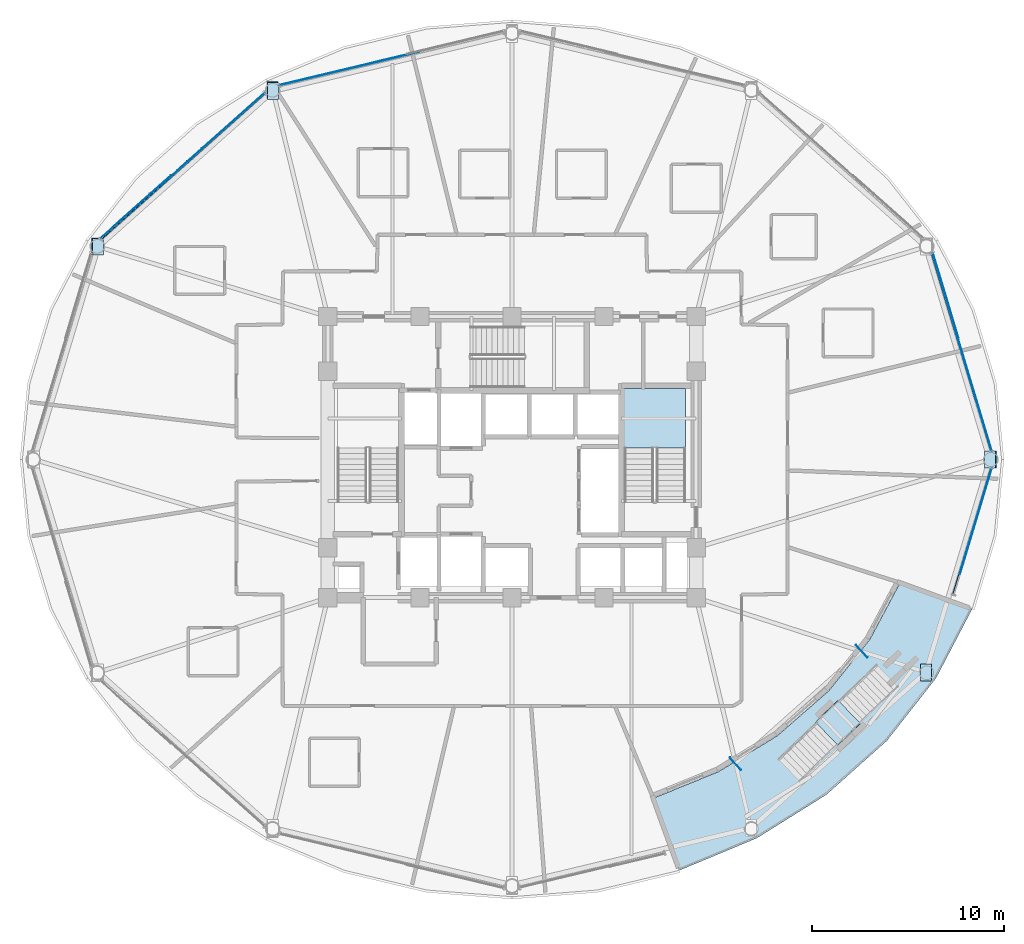
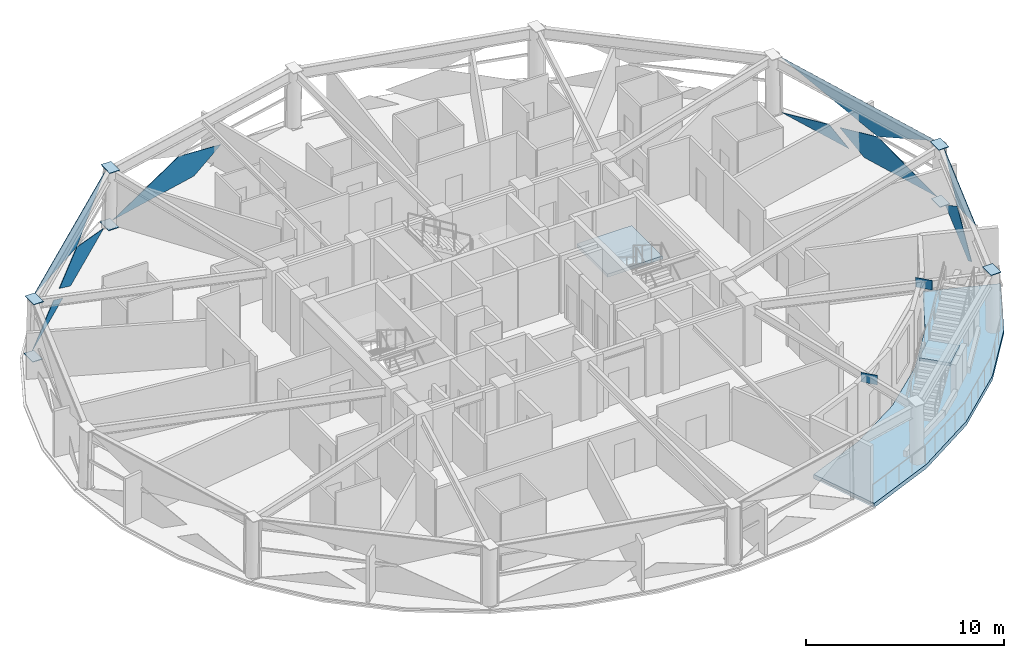
# One storey, part 9 of 18: 18 plates, 3 slabs, 6 elements without a shape of their own.
"""IFC4 building model written with IfcOpenShell, lengths in metres."""

import ifcopenshell
import ifcopenshell.guid

model = None  # the IFC model being written
_history = None  # IfcOwnerHistory: only IFC2X3 demands one
_inside = {}  # id of a spatial element -> (the spatial element, [elements in it])
_under = {}  # id of a project, library or spatial element -> (it, [spatial elements below it])
_declared = {}  # id of a project -> (the project, [libraries it declares])
_typed = {}  # id of a type object -> (the type object, [elements of that type])
_made_of = {}  # id of a material, layer set ... -> (it, [elements and type objects made of it])


def new_model(schema):
    """Start an empty IFC model of exactly this schema.

    Asked for "IFC4X3", IfcOpenShell would pick the latest addendum, in which some entities
    have other attributes; the version numbers below select the first issue.
    IFC2X3 requires an IfcOwnerHistory on every rooted entity: one is made here for all.
    """
    global model, _history
    if schema == "IFC4X3":
        model = ifcopenshell.file(schema_version=(4, 3, 0, 0))
    else:
        model = ifcopenshell.file(schema=schema)
    _inside.clear()
    _under.clear()
    _declared.clear()
    _typed.clear()
    _made_of.clear()
    _history = None
    if model.schema == "IFC2X3":
        org = make("IfcOrganization", Name="unknown")
        user = make(
            "IfcPersonAndOrganization",
            ThePerson=make("IfcPerson", FamilyName="unknown"),
            TheOrganization=org,
        )
        app = make(
            "IfcApplication",
            ApplicationDeveloper=org,
            Version="unknown",
            ApplicationFullName="unknown",
            ApplicationIdentifier="unknown",
        )
        _history = make(
            "IfcOwnerHistory",
            OwningUser=user,
            OwningApplication=app,
            ChangeAction="ADDED",
            CreationDate=0,
        )
    return model


def make(cls, **values):
    """One entity of the class cls with the attributes given. An attribute that is None is left unset."""
    return model.create_entity(
        cls, **{name: value for name, value in values.items() if value is not None}
    )


def rooted(cls, **values):
    """An entity with a GlobalId (a new one), such as an element, a storey or a relation."""
    return make(cls, GlobalId=ifcopenshell.guid.new(), OwnerHistory=_history, **values)


def si_unit(unit_type, name, prefix=None):
    """IfcSIUnit, for example si_unit("LENGTHUNIT", "METRE", prefix="MILLI")."""
    return make("IfcSIUnit", UnitType=unit_type, Prefix=prefix, Name=name)


def assignment(units):
    """IfcUnitAssignment: the units of a project."""
    return None if units is None else make("IfcUnitAssignment", Units=units)


def point(xyz):
    """IfcCartesianPoint."""
    return None if xyz is None else make("IfcCartesianPoint", Coordinates=xyz)


def direction(xyz):
    """IfcDirection."""
    return None if xyz is None else make("IfcDirection", DirectionRatios=xyz)


def frame(location, z_axis=None, x_axis=None):
    """IfcAxis2Placement3D, a coordinate frame: its origin and axes. An axis left out is left unset."""
    return make(
        "IfcAxis2Placement3D",
        Location=point(location),
        Axis=direction(z_axis),
        RefDirection=direction(x_axis),
    )


def frame_2d(location, x_axis=None):
    """IfcAxis2Placement2D, a coordinate frame in the plane: its origin and x axis."""
    return make(
        "IfcAxis2Placement2D", Location=point(location), RefDirection=direction(x_axis)
    )


def origin():
    """The frame at (0, 0, 0) with its axes left unset."""
    return frame((0.0, 0.0, 0.0))


def origin_2d():
    """The frame at (0, 0) in the plane with its x axis left unset."""
    return frame_2d((0.0, 0.0))


def place(relative_to, where):
    """IfcLocalPlacement: puts the frame where relative to a parent placement (None: the world)."""
    return make(
        "IfcLocalPlacement", PlacementRelTo=relative_to, RelativePlacement=where
    )


def context(
    kind, dimensions, precision=None, world=None, true_north=None, identifier=None
):
    """IfcGeometricRepresentationContext, for example the 3D "Model" context."""
    return make(
        "IfcGeometricRepresentationContext",
        ContextIdentifier=identifier,
        ContextType=kind,
        CoordinateSpaceDimension=dimensions,
        Precision=precision,
        WorldCoordinateSystem=world,
        TrueNorth=true_north,
    )


def subcontext(parent, identifier, kind, view, scale=None):
    """IfcGeometricRepresentationSubContext, for example "Body" below "Model"."""
    return make(
        "IfcGeometricRepresentationSubContext",
        ContextIdentifier=identifier,
        ContextType=kind,
        ParentContext=parent,
        TargetScale=scale,
        TargetView=view,
    )


def project(units=None, contexts=None):
    """IfcProject with its units and contexts."""
    return rooted(
        "IfcProject",
        Name="project",
        RepresentationContexts=contexts,
        UnitsInContext=assignment(units),
    )


def spatial(cls, under=None, at=None, **own):
    """A site, building, storey or space (cls), placed at a placement, below another one or the project."""
    s = rooted(cls, ObjectPlacement=at, **own)
    if under is not None:
        _under.setdefault(under.id(), (under, []))[1].append(s)
    return s


def polyline(points):
    """IfcPolyline through the points."""
    return make("IfcPolyline", Points=[point(p) for p in points])


def profile(cls, at=None, kind="AREA", **sizes):
    """A parametric profile (cls). Its sizes go by their IFC names, for example OverallWidth=200.0."""
    return make(cls, ProfileType=kind, Position=at, **sizes)


def rectangle(**sizes):
    """IfcRectangleProfileDef."""
    return profile("IfcRectangleProfileDef", **sizes)


def outline(outer, holes=None, kind="AREA"):
    """IfcArbitraryClosedProfileDef: a profile drawn as a closed curve; with holes, ...WithVoids."""
    if holes is None:
        return make("IfcArbitraryClosedProfileDef", ProfileType=kind, OuterCurve=outer)
    return make(
        "IfcArbitraryProfileDefWithVoids",
        ProfileType=kind,
        OuterCurve=outer,
        InnerCurves=holes,
    )


def extrude(swept, where, along, depth):
    """IfcExtrudedAreaSolid: the profile swept, set in the frame where, extruded along a direction by depth."""
    return make(
        "IfcExtrudedAreaSolid",
        SweptArea=swept,
        Position=where,
        ExtrudedDirection=direction(along),
        Depth=depth,
    )


def shape(context_of_items, identifier, shape_type, items):
    """IfcShapeRepresentation: the items that make up one representation, for example the "Body"."""
    return make(
        "IfcShapeRepresentation",
        ContextOfItems=context_of_items,
        RepresentationIdentifier=identifier,
        RepresentationType=shape_type,
        Items=items,
    )


def material(Name=None, Category=None):
    """IfcMaterial."""
    return make("IfcMaterial", Name=Name, Category=Category)


def layer(
    of_material, thickness, ventilated=None, Name=None, Category=None, Priority=None
):
    """IfcMaterialLayer: one layer of a wall or slab, of a material (None: an air gap)."""
    return make(
        "IfcMaterialLayer",
        Material=of_material,
        LayerThickness=thickness,
        IsVentilated=ventilated,
        Name=Name,
        Category=Category,
        Priority=Priority,
    )


def layer_set(layers, Name=None):
    """IfcMaterialLayerSet."""
    return make("IfcMaterialLayerSet", MaterialLayers=layers, LayerSetName=Name)


def made_of(thing, what):
    """Note that an element or type object is made of a material, layer set ...; save() writes the relation."""
    if what is not None:
        _made_of.setdefault(what.id(), (what, []))[1].append(thing)
    return thing


def type_object(cls, material=None, **own):
    """A type object (cls), such as IfcWallType, which elements share."""
    return made_of(rooted(cls, **own), material)


def element(
    cls,
    number,
    at=None,
    inside=None,
    cuts=None,
    type_object=None,
    material=None,
    context=None,
    identifier="Body",
    shape_type=None,
    held_by="IfcProductDefinitionShape",
    body=None,
    shapes=None,
    **own,
):
    """One element of the class cls, such as IfcWall. Its Tag is "e" and its number.

    at: its placement. inside: the storey or other place that contains it. cuts: it is an
    opening in that element (IfcRelVoidsElement). A single representation is given by context,
    identifier, shape_type and body (its items); several are given by shapes. held_by: the class
    of the entity that holds the representations. save() writes the other relations.
    """
    e = rooted(cls, Tag="e%d" % number, ObjectPlacement=at, **own)
    if body is not None:
        shapes = [shape(context, identifier, shape_type, body)]
    if shapes is not None:
        e.Representation = make(held_by, Representations=shapes)
    if inside is not None:
        _inside.setdefault(inside.id(), (inside, []))[1].append(e)
    if cuts is not None:
        rooted(
            "IfcRelVoidsElement", RelatingBuildingElement=cuts, RelatedOpeningElement=e
        )
    if type_object is not None:
        _typed.setdefault(type_object.id(), (type_object, []))[1].append(e)
    return made_of(e, material)


def aggregate(whole, parts):
    """IfcRelAggregates: a whole, such as a stair, and the parts it consists of."""
    return rooted("IfcRelAggregates", RelatingObject=whole, RelatedObjects=parts)


def save(model, path):
    """Write the relations noted so far, then the file.

    IfcRelAggregates (storeys below a building ...), IfcRelContainedInSpatialStructure (elements
    in a storey), IfcRelDefinesByType, IfcRelAssociatesMaterial and IfcRelDeclares: one each for
    every whole, place, type object, material and project.
    """
    for whole, parts in _under.values():
        aggregate(whole, parts)
    for where, things in _inside.values():
        rooted(
            "IfcRelContainedInSpatialStructure",
            RelatedElements=things,
            RelatingStructure=where,
        )
    for kind, things in _typed.values():
        rooted("IfcRelDefinesByType", RelatedObjects=things, RelatingType=kind)
    for what, things in _made_of.values():
        rooted("IfcRelAssociatesMaterial", RelatedObjects=things, RelatingMaterial=what)
    for by, libraries in _declared.values():
        rooted("IfcRelDeclares", RelatingContext=by, RelatedDefinitions=libraries)
    model.write(path)


model = new_model("IFC4")

# Units and contexts
model_context = context("Model", 3, precision=1e-05, world=origin(), true_north=direction((0.0, 1.0)))
body_context = subcontext(model_context, "Body", "Model", "MODEL_VIEW")
ifc_project = project(units=[si_unit("LENGTHUNIT", "METRE"), si_unit("AREAUNIT", "SQUARE_METRE"), si_unit("VOLUMEUNIT", "CUBIC_METRE"), si_unit("PLANEANGLEUNIT", "RADIAN"), si_unit("MASSUNIT", "GRAM", prefix="KILO")], contexts=[model_context])

# Site, building, storey
site_placement = place(None, origin())
site = spatial("IfcSite", under=ifc_project, at=site_placement, CompositionType="ELEMENT")
building_placement = place(site_placement, origin())
building = spatial("IfcBuilding", under=site, at=building_placement, Name="Vantalir Tower", CompositionType="ELEMENT")
storey_placement = place(building_placement, frame((0.0, 0.0, 138.449951171875)))
storey = spatial("IfcBuildingStorey", under=building, at=storey_placement, Name="L34", CompositionType="ELEMENT", Elevation=138.449951171875)

# Curtain wall, plates
ifc_material_1 = material(Name="Champagne-silver PVDF aluminium and double-silver Low-E glass", Category="aluminium")
ifc_layer_1 = layer(ifc_material_1, 0.199951171875)
ifc_layer_set_1 = layer_set([ifc_layer_1], Name="Champagne-silver PVDF aluminium and double-silver Low-E glass")
curtain_wall_type = type_object("IfcCurtainWallType", Name="CW-DIAMOND-Z2", PredefinedType="USERDEFINED", material=ifc_layer_set_1)
curtain_wall_1_placement = place(storey_placement, origin())
curtain_wall_1 = element("IfcCurtainWall", 1, at=curtain_wall_1_placement, inside=storey, type_object=curtain_wall_type, Name="L34 Quilted Pyramid-Diamond Curtain Wall S01", ObjectType="UNITISED CURTAIN WALL", PredefinedType="USERDEFINED")
ifc_material_2 = material(Name="Double-silver Low-E laminated glass IGU", Category="glass")
ifc_layer_2 = layer(ifc_material_2, 0.028076171875)
ifc_layer_set_2 = layer_set([ifc_layer_2], Name="Double-silver Low-E laminated glass IGU")
plate_type_1 = type_object("IfcPlateType", Name="CWP-IGU-28", PredefinedType="CURTAIN_PANEL", material=ifc_layer_set_2)
plate_1_placement = place(storey_placement, frame((56.528076171875, 25.435546875, 0.046875), z_axis=(0.957646673182, 0.287926248303, 0.003365246067), x_axis=(-0.287927722445, 0.957652141598, -4.8374838e-05)))
plate_1 = element("IfcPlate", 2, at=plate_1_placement, type_object=plate_type_1, Name="CW-L34-S01 Pyramid Diamond Facet 1L", PredefinedType="CURTAIN_PANEL", context=body_context, shape_type="SweptSolid", body=[
    extrude(outline(polyline([(0.0, 0.0), (5.053072374277684, 0.0), (6.760649130422568, 1.0420809941366045), (4.109430426770892, 1.7262824878685095), (0.0, 0.0)])), origin(), (0.0, 0.0, -1.0), 0.028076171875),
])
plate_2_placement = place(storey_placement, frame((54.788818359375, 31.331298828125, 0.046630859375), z_axis=(0.957655057104, 0.287900136378, 0.003209840723), x_axis=(-0.287901619518, 0.957659990539, 0.0)))
plate_2 = element("IfcPlate", 3, at=plate_2_placement, type_object=plate_type_1, Name="CW-L34-S01 Pyramid Diamond Facet 1L Infill Light", PredefinedType="CURTAIN_PANEL", context=body_context, shape_type="SweptSolid", body=[
    extrude(outline(polyline([(0.0, 0.0), (4.651280983993641, -8.673617379884035e-19), (1.3825594986205385, 0.8437543466443949), (0.0, 0.0)])), origin(), (0.0, 0.0, -1.0), 0.028076171875),
])
plate_3_placement = place(storey_placement, frame((53.365966796875, 35.749267578125, 3.523681640625), z_axis=(0.957220405249, 0.287719805381, 0.030763767111), x_axis=(0.287857388556, -0.95767328552, -4.5339012e-05)))
plate_3 = element("IfcPlate", 4, at=plate_3_placement, type_object=plate_type_1, Name="CW-L34-S01 Pyramid Diamond Facet 2U", PredefinedType="CURTAIN_PANEL", context=body_context, shape_type="SweptSolid", body=[
    extrude(outline(polyline([(0.0, 0.0), (10.769560829429146, -1.9136168344369153e-17), (6.677905846924963, 1.7270771865919425), (0.0, 0.0)])), origin(), (0.0, 0.0, -1.0), 0.028076171875),
])
aggregate(curtain_wall_1, [plate_1, plate_2, plate_3])

# Curtain wall, plate
curtain_wall_2_placement = place(storey_placement, origin())
curtain_wall_2 = element("IfcCurtainWall", 5, at=curtain_wall_2_placement, inside=storey, type_object=curtain_wall_type, Name="L34 Quilted Pyramid-Diamond Curtain Wall S04", ObjectType="UNITISED CURTAIN WALL", PredefinedType="USERDEFINED")
plate_4_placement = place(storey_placement, frame((24.853515625, 45.837646484375, 0.04638671875), z_axis=(-0.232282887954, 0.972646785945, 0.001699927724), x_axis=(-0.972648173322, -0.232283294847, 4.3236715e-05)))
plate_4 = element("IfcPlate", 6, at=plate_4_placement, type_object=plate_type_1, Name="CW-L34-S04 Pyramid Diamond Facet 1L", PredefinedType="CURTAIN_PANEL", context=body_context, shape_type="SweptSolid", body=[
    extrude(outline(polyline([(0.0, 0.0), (5.6443605493274385, -5.421010862427522e-19), (1.0693087501831142, 1.7270070447812034), (-1.8853543554090855, 1.0420751136590976), (0.0, 0.0)])), origin(), (0.0, 0.0, -1.0), 0.028076171875),
])
aggregate(curtain_wall_2, [plate_4])

# Curtain wall, plates
curtain_wall_3_placement = place(storey_placement, origin())
curtain_wall_3 = element("IfcCurtainWall", 7, at=curtain_wall_3_placement, inside=storey, type_object=curtain_wall_type, Name="L34 Quilted Pyramid-Diamond Curtain Wall S05", ObjectType="UNITISED CURTAIN WALL", PredefinedType="USERDEFINED")
plate_5_placement = place(storey_placement, frame((18.58154296875, 44.118408203125, 0.046630859375), z_axis=(-0.665410466239, 0.746474040863, 0.002327603292), x_axis=(-0.74647606292, -0.665412268813, 3.3225e-08)))
plate_5 = element("IfcPlate", 8, at=plate_5_placement, type_object=plate_type_1, Name="CW-L34-S05 Pyramid Diamond Facet 1L", PredefinedType="CURTAIN_PANEL", context=body_context, shape_type="SweptSolid", body=[
    extrude(outline(polyline([(0.0, 0.0), (5.362176601631319, 8.673617379884035e-19), (7.155891074911851, 1.041750631090517), (4.347955938395212, 1.726567210747326), (0.0, 0.0)])), origin(), (0.0, 0.0, -1.0), 0.028076171875),
])
plate_6_placement = place(storey_placement, frame((13.71044921875, 39.819091796875, 0.046630859375), z_axis=(-0.665409593317, 0.74647497281, 0.002277737892), x_axis=(-0.746476909208, -0.665411319426, 0.0)))
plate_6 = element("IfcPlate", 9, at=plate_6_placement, type_object=plate_type_1, Name="CW-L34-S05 Pyramid Diamond Facet 1L Infill Light", PredefinedType="CURTAIN_PANEL", context=body_context, shape_type="SweptSolid", body=[
    extrude(outline(polyline([(0.0, 0.0), (4.930059772587566, 8.673617379884035e-19), (1.458105158206978, 0.8469260250920297), (0.0, 0.0)])), origin(), (0.0, 0.0, -1.0), 0.028076171875),
])
plate_7_placement = place(storey_placement, frame((10.1044921875, 36.48779296875, 3.523681640625), z_axis=(-0.665047903696, 0.746204494274, 0.029835189204), x_axis=(0.746536403224, 0.665344571032, -2.1422647e-05)))
plate_7 = element("IfcPlate", 10, at=plate_7_placement, type_object=plate_type_1, Name="CW-L34-S05 Pyramid Diamond Facet 2U", PredefinedType="CURTAIN_PANEL", context=body_context, shape_type="SweptSolid", body=[
    extrude(outline(polyline([(0.0, 0.0), (11.396379953149536, -3.848917712323541e-18), (7.0575167442374, 1.7274244450125766), (0.0, 0.0)])), origin(), (0.0, 0.0, -1.0), 0.028076171875),
])
aggregate(curtain_wall_3, [plate_5, plate_6, plate_7])

curtain_wall_4_placement = place(storey_placement, origin())
curtain_wall_4 = element("IfcCurtainWall", 11, at=curtain_wall_4_placement, inside=storey, type_object=curtain_wall_type, Name="L34 Quilted Pyramid-Diamond Curtain Wall S12", ObjectType="UNITISED CURTAIN WALL", PredefinedType="USERDEFINED")
plate_8_placement = place(storey_placement, frame((55.072998046875, 19.72412109375, 0.04736328125), z_axis=(0.957653203338, -0.287903508984, 0.003451326084), x_axis=(0.287904902856, 0.957658998583, 9.6666051e-05)))
plate_8 = element("IfcPlate", 12, at=plate_8_placement, type_object=plate_type_1, Name="CW-L34-S12 Pyramid Diamond Facet 1L", PredefinedType="CURTAIN_PANEL", context=body_context, shape_type="SweptSolid", body=[
    extrude(outline(polyline([(0.0, 0.0), (5.054311699282727, -3.2526065174565133e-19), (2.429946269057007, 1.7238964757511224), (-0.7331298690046519, 0.4475836013284968), (0.0, 0.0)])), origin(), (0.0, 0.0, -1.0), 0.028076171875),
])
plate_9_placement = place(storey_placement, frame((56.466064453125, 24.564453125, 3.5224609375), z_axis=(0.957220850338, -0.287725808588, 0.03069369235), x_axis=(-0.287862481984, -0.957671754938, 3.5503513e-05)))
plate_9 = element("IfcPlate", 13, at=plate_9_placement, type_object=plate_type_1, Name="CW-L34-S12 Pyramid Diamond Facet 2U", PredefinedType="CURTAIN_PANEL", context=body_context, shape_type="SweptSolid", body=[
    extrude(outline(polyline([(0.0, 0.0), (6.876520253203155, 2.108773225484306e-17), (2.606760302212272, 1.7247821558121392), (0.0, 0.0)])), origin(), (0.0, 0.0, -1.0), 0.028076171875),
])
aggregate(curtain_wall_4, [plate_8, plate_9])

# Plates
ifc_material_3 = material(Name="Steel S460", Category="steel")
ifc_layer_3 = layer(ifc_material_3, 0.035888671875)
ifc_layer_set_3 = layer_set([ifc_layer_3], Name="Steel S460")
plate_type_2 = type_object("IfcPlateType", Name="PLT-KN-Z2", PredefinedType="USERDEFINED", material=ifc_layer_set_3)
plate_10_placement = place(storey_placement, frame((56.116455078125, 25.43994140625, 3.593017578125), z_axis=(-0.017253323722, 0.0, 0.999851150332), x_axis=(0.0, -1.0, 0.0)))
element("IfcPlate", 14, at=plate_10_placement, inside=storey, type_object=plate_type_2, Name="L34 Ring Column Top Cap RC01", ObjectType="FLANGE_PLATE", PredefinedType="USERDEFINED", context=body_context, shape_type="SweptSolid", body=[
    extrude(outline(polyline([(0.0, 0.0), (0.8798828125, 0.0), (0.8798828125, 0.580164482290482), (0.0, 0.580164482290482), (0.0, 0.0)])), origin(), (0.0, 0.0, -1.0), 0.035888671875),
])
plate_11_placement = place(storey_placement, frame((56.17822265625, 25.43994140625, 0.048095703125), z_axis=(-0.017260586116, 0.0, 0.999851024987), x_axis=(0.0, -1.0, 0.0)))
element("IfcPlate", 15, at=plate_11_placement, inside=storey, type_object=plate_type_2, Name="L34 Ring Column Base Cap RC01", ObjectType="FLANGE_PLATE", PredefinedType="USERDEFINED", context=body_context, shape_type="SweptSolid", body=[
    extrude(outline(polyline([(0.0, 0.0), (0.8798828125, 0.0), (0.8798828125, 0.5799203780210307), (0.0, 0.5799203780210307), (0.0, 0.0)])), origin(), (0.0, 0.0, -1.0), 0.035888671875),
])
plate_12_placement = place(storey_placement, frame((18.75732421875, 44.6474609375, 3.6064453125), z_axis=(0.008633308393, -0.013453683691, 0.999872224027), x_axis=(-1.181368e-06, -0.999909488492, -0.013454174899)))
element("IfcPlate", 16, at=plate_12_placement, inside=storey, type_object=plate_type_2, Name="L34 Ring Column Top Cap RC05", ObjectType="FLANGE_PLATE", PredefinedType="USERDEFINED", context=body_context, shape_type="SweptSolid", body=[
    extrude(outline(polyline([(0.0, 0.0), (0.8799608390919006, -2.710505431213761e-20), (0.8800291330186466, 0.5798566339374953), (-0.00017910931138656757, 0.57985455445262), (0.0, 0.0)])), origin(), (0.0, 0.0, -1.0), 0.035888671875),
])
plate_13_placement = place(storey_placement, frame((18.7265625, 44.6953125, 0.0615234375), z_axis=(0.008633308393, -0.013453683691, 0.999872224027), x_axis=(1.181036e-06, -0.999909488218, -0.013454195294)))
element("IfcPlate", 17, at=plate_13_placement, inside=storey, type_object=plate_type_2, Name="L34 Ring Column Base Cap RC05", ObjectType="FLANGE_PLATE", PredefinedType="USERDEFINED", context=body_context, shape_type="SweptSolid", body=[
    extrude(outline(polyline([(0.0, 0.0), (0.8802082423324896, -1.3552527156068805e-20), (0.8800305029228132, 0.579854554874146), (6.966383336813916e-05, 0.5798566337745333), (0.0, 0.0)])), origin(), (0.0, 0.0, -1.0), 0.035888671875),
])
plate_14_placement = place(storey_placement, frame((9.640380859375, 36.52978515625, 3.605712890625), z_axis=(0.015150927113, -0.007489566799, 0.999857167698), x_axis=(-1.5738e-08, -0.999971946363, -0.007490426326)))
element("IfcPlate", 18, at=plate_14_placement, inside=storey, type_object=plate_type_2, Name="L34 Ring Column Top Cap RC06", ObjectType="FLANGE_PLATE", PredefinedType="USERDEFINED", context=body_context, shape_type="SweptSolid", body=[
    extrude(outline(polyline([(0.0, 0.0), (0.8801516377319885, 1.3552527156068805e-20), (0.8799733286519053, 0.5801447289537545), (6.58246958843489e-05, 0.5801447012508327), (0.0, 0.0)])), origin(), (0.0, 0.0, -1.0), 0.035888671875),
])
plate_15_placement = place(storey_placement, frame((9.5869140625, 36.556640625, 0.060791015625), z_axis=(0.015157304985, -0.007489566075, 0.999857071038), x_axis=(-1.5745e-08, -0.999971946363, -0.007490426326)))
element("IfcPlate", 19, at=plate_15_placement, inside=storey, type_object=plate_type_2, Name="L34 Ring Column Base Cap RC06", ObjectType="FLANGE_PLATE", PredefinedType="USERDEFINED", context=body_context, shape_type="SweptSolid", body=[
    extrude(outline(polyline([(0.0, 0.0), (0.8801516377319885, 0.0), (0.8799733286519053, 0.579900616369303), (6.582469588434907e-05, 0.5799005886547195), (0.0, 0.0)])), origin(), (0.0, 0.0, -1.0), 0.035888671875),
])
plate_16_placement = place(storey_placement, frame((52.779541015625, 14.35009765625, 3.74462890625), z_axis=(-0.014309473901, 0.007489659651, 0.999869563471), x_axis=(1.4868e-08, -0.99997194636, 0.007490426777)))
element("IfcPlate", 20, at=plate_16_placement, inside=storey, type_object=plate_type_2, Name="L34 Ring Column Top Cap RC12", ObjectType="FLANGE_PLATE", PredefinedType="USERDEFINED", context=body_context, shape_type="SweptSolid", body=[
    extrude(outline(polyline([(0.0, 0.0), (0.8799075039560212, -1.3552527156068805e-20), (0.8799696889748939, 0.580137509738048), (-0.00018194875709411128, 0.5801375359096623), (0.0, 0.0)])), origin(), (0.0, 0.0, -1.0), 0.035888671875),
])
for number, where, z_axis, x_axis, name in (
    (21, (43.14404296875, 9.14404296875, 3.080078125), (0.0, 0.0, 1.0), (0.746800706434, 0.665047896673, 0.0), "L34 Lintel Cap 1A"),
    (22, (49.72998046875, 15.009033203125, 3.080078125), (0.0, 0.0, 1.0), (0.746800706434, 0.665047896673, 0.0), "L34 Lintel Cap 1B"),
):
    element("IfcPlate", number, at=place(storey_placement, frame(where, z_axis=z_axis, x_axis=x_axis)), inside=storey, type_object=plate_type_2, Name=name, ObjectType="FLANGE_PLATE", PredefinedType="USERDEFINED", context=body_context, shape_type="SweptSolid", body=[
        extrude(rectangle(XDim=0.035888671875, YDim=0.8798828125, at=origin_2d()), origin(), (0.0, 0.0, 1.0), 0.580078125),
    ])

# Stair, slab
ifc_material_4 = material(Name="Concrete C40/50", Category="concrete")
stair_type_1 = type_object("IfcStairType", Name="STR-CORE-1450", PredefinedType="HALF_TURN_STAIR", material=ifc_material_4)
stair_1_placement = place(storey_placement, origin())
stair_1 = element("IfcStair", 23, at=stair_1_placement, inside=storey, type_object=stair_type_1, Name="L34 Core Exit Stair 2", PredefinedType="HALF_TURN_STAIR")
ifc_layer_4 = layer(ifc_material_4, 0.199951171875)
ifc_layer_set_4 = layer_set([ifc_layer_4], Name="Concrete C40/50")
slab_type_1 = type_object("IfcSlabType", Name="SL-LAND-200", PredefinedType="LANDING", material=ifc_layer_set_4)
slab_1_placement = place(storey_placement, frame((0.0, 0.0, 1.675048828125)))
slab_1 = element("IfcSlab", 24, at=slab_1_placement, type_object=slab_type_1, Name="ST2 landing 1", PredefinedType="LANDING", context=body_context, shape_type="SweptSolid", body=[
    extrude(outline(polyline([(40.550048828125, 25.590087890625), (40.550048828125, 28.699951171875), (37.35009765625, 28.699951171875), (37.35009765625, 25.590087890625), (40.550048828125, 25.590087890625)])), origin(), (0.0, 0.0, 1.0), 0.199951171875),
])
aggregate(stair_1, [slab_1])

ifc_material_5 = material(Name="Steel S355", Category="steel")
stair_type_2 = type_object("IfcStairType", Name="STR-SKYGARDEN-1550", PredefinedType="STRAIGHT_RUN_STAIR", material=ifc_material_5)
stair_2_placement = place(storey_placement, origin())
stair_2 = element("IfcStair", 25, at=stair_2_placement, inside=storey, type_object=stair_type_2, Name="Sky Garden Feature Stair SG2", PredefinedType="STRAIGHT_RUN_STAIR")
slab_2_placement = place(storey_placement, frame((0.0, 0.0, 1.675048828125)))
slab_2 = element("IfcSlab", 26, at=slab_2_placement, type_object=slab_type_1, Name="ST-SG2 landing 1", PredefinedType="LANDING", context=body_context, shape_type="SweptSolid", body=[
    extrude(outline(polyline([(48.47412109375, 10.112060546875), (49.656005859375, 11.2490234375), (48.498046875, 12.451904296875), (47.31591796875, 11.31591796875), (48.47412109375, 10.112060546875)])), origin(), (0.0, 0.0, 1.0), 0.199951171875),
])
aggregate(stair_2, [slab_2])

# Slab
ifc_material_6 = material(Name="Concrete C40/50 planted sky-garden PLANTER deck", Category="concrete")
ifc_layer_5 = layer(ifc_material_6, 0.260009765625)
ifc_layer_set_5 = layer_set([ifc_layer_5], Name="Concrete C40/50 planted sky-garden PLANTER deck")
slab_type_2 = type_object("IfcSlabType", Name="SL-SKYGARDEN-PLANTER-260", PredefinedType="ROOF", material=ifc_layer_set_5)
slab_3_placement = place(storey_placement, frame((0.0, 0.0, -0.219970703125)))
element("IfcSlab", 27, at=slab_3_placement, inside=storey, type_object=slab_type_2, Name="L34 Spiralling Sky Garden PLANTER Deck SG2", PredefinedType="ROOF", context=body_context, shape_type="SweptSolid", body=[
    extrude(outline(polyline([(55.47802734375, 17.202880859375), (51.722900390625, 18.569091796875), (50.139892578125, 15.60400390625), (47.989013671875, 12.922119140625), (45.3349609375, 10.60595703125), (42.261962890625, 8.72802734375), (38.865966796875, 7.344970703125), (40.23291015625, 3.591064453125), (44.260009765625, 5.26806640625), (47.903076171875, 7.5458984375), (51.049072265625, 10.35400390625), (53.60009765625, 13.60693359375), (55.47802734375, 17.202880859375)])), origin(), (0.0, 0.0, 1.0), 0.260009765625),
])

save(model, "model.ifc")
